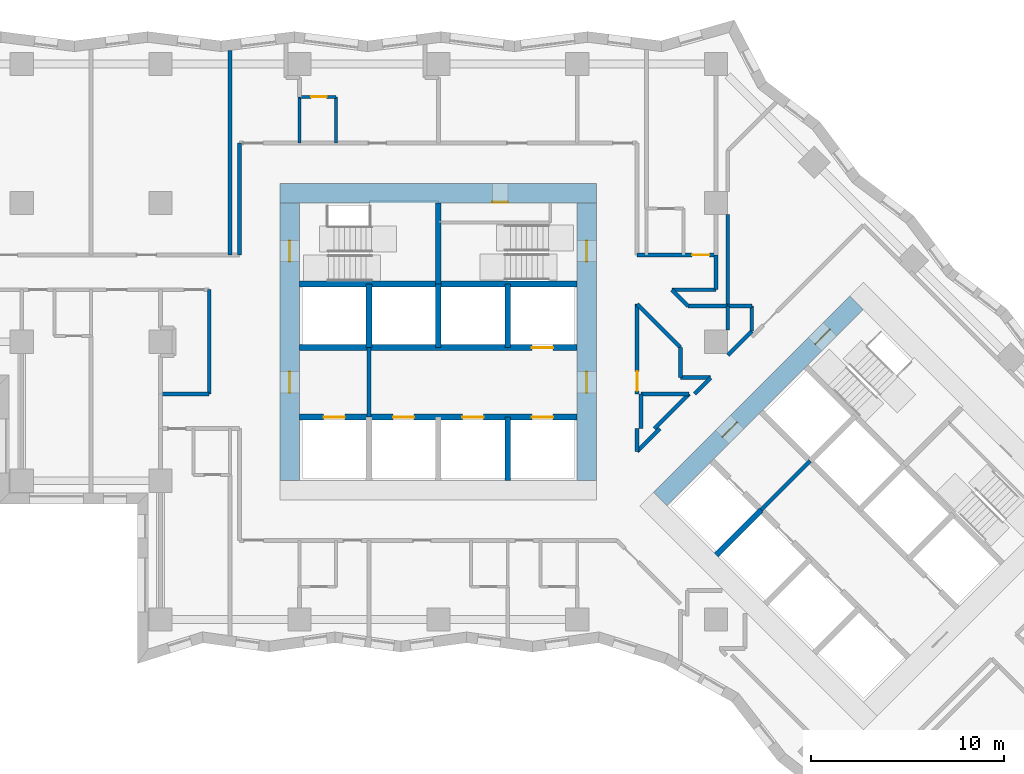
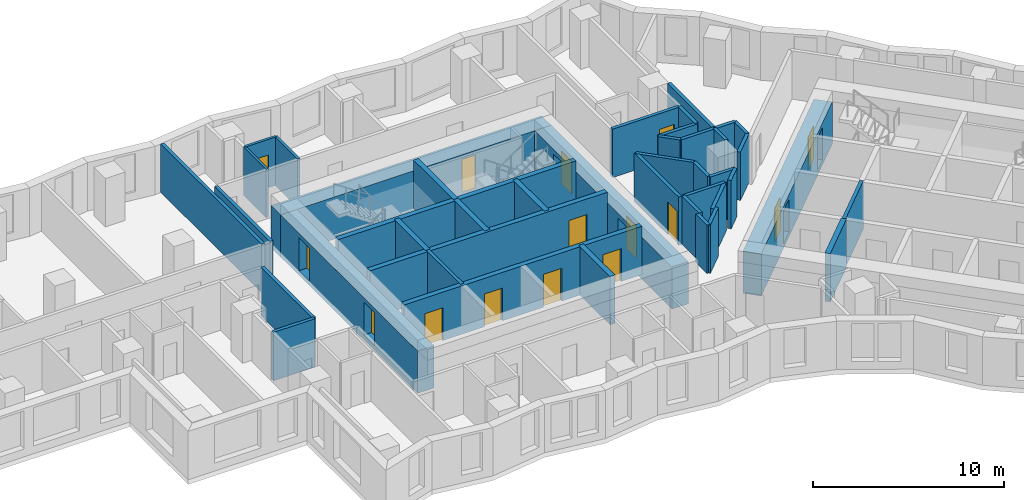
# One storey, part 5 of 12: 43 walls, 15 doors, 15 openings.
"""IFC4 building model written with IfcOpenShell, lengths in metres."""

import ifcopenshell
import ifcopenshell.guid

model = None  # the IFC model being written
_history = None  # IfcOwnerHistory: only IFC2X3 demands one
_inside = {}  # id of a spatial element -> (the spatial element, [elements in it])
_under = {}  # id of a project, library or spatial element -> (it, [spatial elements below it])
_declared = {}  # id of a project -> (the project, [libraries it declares])
_typed = {}  # id of a type object -> (the type object, [elements of that type])
_made_of = {}  # id of a material, layer set ... -> (it, [elements and type objects made of it])


def new_model(schema):
    """Start an empty IFC model of exactly this schema.

    Asked for "IFC4X3", IfcOpenShell would pick the latest addendum, in which some entities
    have other attributes; the version numbers below select the first issue.
    IFC2X3 requires an IfcOwnerHistory on every rooted entity: one is made here for all.
    """
    global model, _history
    if schema == "IFC4X3":
        model = ifcopenshell.file(schema_version=(4, 3, 0, 0))
    else:
        model = ifcopenshell.file(schema=schema)
    _inside.clear()
    _under.clear()
    _declared.clear()
    _typed.clear()
    _made_of.clear()
    _history = None
    if model.schema == "IFC2X3":
        org = make("IfcOrganization", Name="unknown")
        user = make(
            "IfcPersonAndOrganization",
            ThePerson=make("IfcPerson", FamilyName="unknown"),
            TheOrganization=org,
        )
        app = make(
            "IfcApplication",
            ApplicationDeveloper=org,
            Version="unknown",
            ApplicationFullName="unknown",
            ApplicationIdentifier="unknown",
        )
        _history = make(
            "IfcOwnerHistory",
            OwningUser=user,
            OwningApplication=app,
            ChangeAction="ADDED",
            CreationDate=0,
        )
    return model


def make(cls, **values):
    """One entity of the class cls with the attributes given. An attribute that is None is left unset."""
    return model.create_entity(
        cls, **{name: value for name, value in values.items() if value is not None}
    )


def rooted(cls, **values):
    """An entity with a GlobalId (a new one), such as an element, a storey or a relation."""
    return make(cls, GlobalId=ifcopenshell.guid.new(), OwnerHistory=_history, **values)


def si_unit(unit_type, name, prefix=None):
    """IfcSIUnit, for example si_unit("LENGTHUNIT", "METRE", prefix="MILLI")."""
    return make("IfcSIUnit", UnitType=unit_type, Prefix=prefix, Name=name)


def assignment(units):
    """IfcUnitAssignment: the units of a project."""
    return None if units is None else make("IfcUnitAssignment", Units=units)


def point(xyz):
    """IfcCartesianPoint."""
    return None if xyz is None else make("IfcCartesianPoint", Coordinates=xyz)


def direction(xyz):
    """IfcDirection."""
    return None if xyz is None else make("IfcDirection", DirectionRatios=xyz)


def frame(location, z_axis=None, x_axis=None):
    """IfcAxis2Placement3D, a coordinate frame: its origin and axes. An axis left out is left unset."""
    return make(
        "IfcAxis2Placement3D",
        Location=point(location),
        Axis=direction(z_axis),
        RefDirection=direction(x_axis),
    )


def frame_2d(location, x_axis=None):
    """IfcAxis2Placement2D, a coordinate frame in the plane: its origin and x axis."""
    return make(
        "IfcAxis2Placement2D", Location=point(location), RefDirection=direction(x_axis)
    )


def origin():
    """The frame at (0, 0, 0) with its axes left unset."""
    return frame((0.0, 0.0, 0.0))


def place(relative_to, where):
    """IfcLocalPlacement: puts the frame where relative to a parent placement (None: the world)."""
    return make(
        "IfcLocalPlacement", PlacementRelTo=relative_to, RelativePlacement=where
    )


def context(
    kind, dimensions, precision=None, world=None, true_north=None, identifier=None
):
    """IfcGeometricRepresentationContext, for example the 3D "Model" context."""
    return make(
        "IfcGeometricRepresentationContext",
        ContextIdentifier=identifier,
        ContextType=kind,
        CoordinateSpaceDimension=dimensions,
        Precision=precision,
        WorldCoordinateSystem=world,
        TrueNorth=true_north,
    )


def subcontext(parent, identifier, kind, view, scale=None):
    """IfcGeometricRepresentationSubContext, for example "Body" below "Model"."""
    return make(
        "IfcGeometricRepresentationSubContext",
        ContextIdentifier=identifier,
        ContextType=kind,
        ParentContext=parent,
        TargetScale=scale,
        TargetView=view,
    )


def project(units=None, contexts=None):
    """IfcProject with its units and contexts."""
    return rooted(
        "IfcProject",
        Name="project",
        RepresentationContexts=contexts,
        UnitsInContext=assignment(units),
    )


def spatial(cls, under=None, at=None, **own):
    """A site, building, storey or space (cls), placed at a placement, below another one or the project."""
    s = rooted(cls, ObjectPlacement=at, **own)
    if under is not None:
        _under.setdefault(under.id(), (under, []))[1].append(s)
    return s


def profile(cls, at=None, kind="AREA", **sizes):
    """A parametric profile (cls). Its sizes go by their IFC names, for example OverallWidth=200.0."""
    return make(cls, ProfileType=kind, Position=at, **sizes)


def rectangle(**sizes):
    """IfcRectangleProfileDef."""
    return profile("IfcRectangleProfileDef", **sizes)


def extrude(swept, where, along, depth):
    """IfcExtrudedAreaSolid: the profile swept, set in the frame where, extruded along a direction by depth."""
    return make(
        "IfcExtrudedAreaSolid",
        SweptArea=swept,
        Position=where,
        ExtrudedDirection=direction(along),
        Depth=depth,
    )


def shape(context_of_items, identifier, shape_type, items):
    """IfcShapeRepresentation: the items that make up one representation, for example the "Body"."""
    return make(
        "IfcShapeRepresentation",
        ContextOfItems=context_of_items,
        RepresentationIdentifier=identifier,
        RepresentationType=shape_type,
        Items=items,
    )


def material(Name=None, Category=None):
    """IfcMaterial."""
    return make("IfcMaterial", Name=Name, Category=Category)


def layer(
    of_material, thickness, ventilated=None, Name=None, Category=None, Priority=None
):
    """IfcMaterialLayer: one layer of a wall or slab, of a material (None: an air gap)."""
    return make(
        "IfcMaterialLayer",
        Material=of_material,
        LayerThickness=thickness,
        IsVentilated=ventilated,
        Name=Name,
        Category=Category,
        Priority=Priority,
    )


def layer_set(layers, Name=None):
    """IfcMaterialLayerSet."""
    return make("IfcMaterialLayerSet", MaterialLayers=layers, LayerSetName=Name)


def made_of(thing, what):
    """Note that an element or type object is made of a material, layer set ...; save() writes the relation."""
    if what is not None:
        _made_of.setdefault(what.id(), (what, []))[1].append(thing)
    return thing


def type_object(cls, material=None, **own):
    """A type object (cls), such as IfcWallType, which elements share."""
    return made_of(rooted(cls, **own), material)


def element(
    cls,
    number,
    at=None,
    inside=None,
    cuts=None,
    type_object=None,
    material=None,
    context=None,
    identifier="Body",
    shape_type=None,
    held_by="IfcProductDefinitionShape",
    body=None,
    shapes=None,
    **own,
):
    """One element of the class cls, such as IfcWall. Its Tag is "e" and its number.

    at: its placement. inside: the storey or other place that contains it. cuts: it is an
    opening in that element (IfcRelVoidsElement). A single representation is given by context,
    identifier, shape_type and body (its items); several are given by shapes. held_by: the class
    of the entity that holds the representations. save() writes the other relations.
    """
    e = rooted(cls, Tag="e%d" % number, ObjectPlacement=at, **own)
    if body is not None:
        shapes = [shape(context, identifier, shape_type, body)]
    if shapes is not None:
        e.Representation = make(held_by, Representations=shapes)
    if inside is not None:
        _inside.setdefault(inside.id(), (inside, []))[1].append(e)
    if cuts is not None:
        rooted(
            "IfcRelVoidsElement", RelatingBuildingElement=cuts, RelatedOpeningElement=e
        )
    if type_object is not None:
        _typed.setdefault(type_object.id(), (type_object, []))[1].append(e)
    return made_of(e, material)


def fill(opening, filler):
    """IfcRelFillsElement: the door or window that sits in an opening."""
    return rooted(
        "IfcRelFillsElement",
        RelatingOpeningElement=opening,
        RelatedBuildingElement=filler,
    )


def aggregate(whole, parts):
    """IfcRelAggregates: a whole, such as a stair, and the parts it consists of."""
    return rooted("IfcRelAggregates", RelatingObject=whole, RelatedObjects=parts)


def save(model, path):
    """Write the relations noted so far, then the file.

    IfcRelAggregates (storeys below a building ...), IfcRelContainedInSpatialStructure (elements
    in a storey), IfcRelDefinesByType, IfcRelAssociatesMaterial and IfcRelDeclares: one each for
    every whole, place, type object, material and project.
    """
    for whole, parts in _under.values():
        aggregate(whole, parts)
    for where, things in _inside.values():
        rooted(
            "IfcRelContainedInSpatialStructure",
            RelatedElements=things,
            RelatingStructure=where,
        )
    for kind, things in _typed.values():
        rooted("IfcRelDefinesByType", RelatedObjects=things, RelatingType=kind)
    for what, things in _made_of.values():
        rooted("IfcRelAssociatesMaterial", RelatedObjects=things, RelatingMaterial=what)
    for by, libraries in _declared.values():
        rooted("IfcRelDeclares", RelatingContext=by, RelatedDefinitions=libraries)
    model.write(path)


model = new_model("IFC4")

# Units and contexts
model_context = context("Model", 3, precision=1e-05, world=origin(), true_north=direction((0.0, 1.0)))
body_context = subcontext(model_context, "Body", "Model", "MODEL_VIEW")
ifc_project = project(units=[si_unit("LENGTHUNIT", "METRE"), si_unit("AREAUNIT", "SQUARE_METRE"), si_unit("VOLUMEUNIT", "CUBIC_METRE"), si_unit("PLANEANGLEUNIT", "RADIAN"), si_unit("MASSUNIT", "GRAM", prefix="KILO")], contexts=[model_context])

# Site, building, storey
site_placement = place(None, origin())
site = spatial("IfcSite", under=ifc_project, at=site_placement, CompositionType="ELEMENT")
building_placement = place(site_placement, origin())
building = spatial("IfcBuilding", under=site, at=building_placement, Name="Windrow Commons", CompositionType="ELEMENT")
storey_placement = place(building_placement, frame((0.0, 0.0, 47.4)))
storey = spatial("IfcBuildingStorey", under=building, at=storey_placement, Name="L12", CompositionType="ELEMENT", Elevation=47.4)

# Walls
ifc_material_1 = material(Name="Blockwork partition", Category="masonry")
ifc_layer_1 = layer(ifc_material_1, 0.2)
ifc_layer_set_1 = layer_set([ifc_layer_1], Name="Fire lobby partition 200")
wall_type_1 = type_object("IfcWallType", Name="Fire lobby partition 200", PredefinedType="PARTITIONING", material=ifc_layer_set_1)
for number, where, z_axis, x_axis, name in (
    (1, (61.2, 53.7, 0.0), (0.0, 0.0, 1.0), (0.0, 1.0, 0.0), "W-core-lobby-A-L12"),
    (2, (81.5335, 48.8776, 0.0), (0.0, 0.0, 1.0), (0.707092892, 0.7071206701, 0.0), "W-core-lobby-B-L12"),
):
    element("IfcWall", number, at=place(storey_placement, frame(where, z_axis=z_axis, x_axis=x_axis)), inside=storey, type_object=wall_type_1, Name=name, PredefinedType="PARTITIONING", context=body_context, shape_type="SweptSolid", body=[
        extrude(rectangle(XDim=3.6, YDim=0.2, at=frame_2d((1.8, 0.0))), origin(), (0.0, 0.0, 1.0), 3.1),
    ])
ifc_material_2 = material(Name="Blockwork partition", Category="masonry")
ifc_layer_2 = layer(ifc_material_2, 0.2)
ifc_layer_set_2 = layer_set([ifc_layer_2], Name="IW-CORRIDOR-200")
wall_type_2 = type_object("IfcWallType", Name="IW-CORRIDOR-200", PredefinedType="PARTITIONING", material=ifc_layer_set_2)
wall_1_placement = place(storey_placement, frame((54.5, 62.102, 0.0), z_axis=(0.0, 0.0, 1.0), x_axis=(0.0, 1.0, 0.0)))
element("IfcWall", 3, at=wall_1_placement, inside=storey, type_object=wall_type_2, Name="W-L12-W033", PredefinedType="PARTITIONING", context=body_context, shape_type="SweptSolid", body=[
    extrude(rectangle(XDim=5.798, YDim=0.2, at=frame_2d((2.899, 0.0))), origin(), (0.0, 0.0, 1.0), 3.1),
])
wall_2_placement = place(storey_placement, frame((52.92, 54.9, 0.0), z_axis=(0.0, 0.0, 1.0), x_axis=(0.0, 1.0, 0.0)))
element("IfcWall", 4, at=wall_2_placement, inside=storey, type_object=wall_type_2, Name="W-L12-W039", PredefinedType="PARTITIONING", context=body_context, shape_type="SweptSolid", body=[
    extrude(rectangle(XDim=5.4, YDim=0.2, at=frame_2d((2.7, 0.0))), origin(), (0.0, 0.0, 1.0), 3.1),
])

# Wall, opening, door
wall_3_placement = place(storey_placement, frame((75.1, 54.9, 0.0), z_axis=(0.0, 0.0, 1.0), x_axis=(0.0, 1.0, 0.0)))
wall_3 = element("IfcWall", 5, at=wall_3_placement, inside=storey, type_object=wall_type_2, Name="W-L12-W043", PredefinedType="PARTITIONING", context=body_context, shape_type="SweptSolid", body=[
    extrude(rectangle(XDim=4.652, YDim=0.2, at=frame_2d((2.326, 0.0))), origin(), (0.0, 0.0, 1.0), 3.1),
])
opening_1_placement = place(wall_3_placement, frame((0.1613, 0.0, 0.0)))
opening_1 = element("IfcOpeningElement", 6, at=opening_1_placement, cuts=wall_3, Name="Opening D410F", PredefinedType="OPENING", context=body_context, shape_type="SweptSolid", body=[
    extrude(rectangle(XDim=1.0, YDim=2.1, at=frame_2d((0.5, 1.05))), frame((0.0, 0.11, 0.0), z_axis=(0.0, -1.0, 0.0), x_axis=(1.0, 0.0, 0.0)), (0.0, 0.0, 1.0), 0.22),
])
ifc_material_3 = material(Name="Timber door leaf", Category="wood")
door_type_1 = type_object("IfcDoorType", Name="DT-SERVICE-1000", OperationType="SINGLE_SWING_LEFT", PredefinedType="DOOR", material=ifc_material_3)
door_1_placement = place(opening_1_placement, origin())
door_1 = element("IfcDoor", 7, at=door_1_placement, inside=storey, type_object=door_type_1, Name="D-L12-D000", OperationType="SINGLE_SWING_LEFT", OverallHeight=2.1, OverallWidth=1.0, PredefinedType="DOOR", context=body_context, shape_type="SweptSolid", body=[
    extrude(rectangle(XDim=1.0, YDim=2.1, at=frame_2d((0.5, 1.05))), frame((0.0, 0.025, 0.0), z_axis=(0.0, -1.0, 0.0), x_axis=(1.0, 0.0, 0.0)), (0.0, 0.0, 1.0), 0.05),
])
fill(opening_1, door_1)

wall_4_placement = place(storey_placement, frame((75.102, 62.1, 0.0), z_axis=(0.0, 0.0, 1.0), x_axis=(1.0, 0.0, 0.0)))
wall_4 = element("IfcWall", 8, at=wall_4_placement, inside=storey, type_object=wall_type_2, Name="W-L12-W049", PredefinedType="PARTITIONING", context=body_context, shape_type="SweptSolid", body=[
    extrude(rectangle(XDim=4.098, YDim=0.2, at=frame_2d((2.049, 0.0))), origin(), (0.0, 0.0, 1.0), 3.1),
])
opening_2_placement = place(wall_4_placement, frame((2.848, 0.0, 0.0)))
opening_2 = element("IfcOpeningElement", 9, at=opening_2_placement, cuts=wall_4, Name="Opening D109S", PredefinedType="OPENING", context=body_context, shape_type="SweptSolid", body=[
    extrude(rectangle(XDim=0.9, YDim=2.1, at=frame_2d((0.45, 1.05))), frame((0.0, 0.11, 0.0), z_axis=(0.0, -1.0, 0.0), x_axis=(1.0, 0.0, 0.0)), (0.0, 0.0, 1.0), 0.22),
])
ifc_material_4 = material(Name="Timber door leaf", Category="wood")
door_type_2 = type_object("IfcDoorType", Name="DT-BEDROOM-900", OperationType="SINGLE_SWING_LEFT", PredefinedType="DOOR", material=ifc_material_4)
door_2_placement = place(opening_2_placement, origin())
door_2 = element("IfcDoor", 10, at=door_2_placement, inside=storey, type_object=door_type_2, Name="D-L12-D012", OperationType="SINGLE_SWING_LEFT", OverallHeight=2.1, OverallWidth=0.9, PredefinedType="DOOR", context=body_context, shape_type="SweptSolid", body=[
    extrude(rectangle(XDim=0.9, YDim=2.1, at=frame_2d((0.45, 1.05))), frame((0.0, 0.025, 0.0), z_axis=(0.0, -1.0, 0.0), x_axis=(1.0, 0.0, 0.0)), (0.0, 0.0, 1.0), 0.05),
])
fill(opening_2, door_2)

# Walls
wall_5_placement = place(storey_placement, frame((75.0986, 59.5486, 0.0), z_axis=(0.0, 0.0, 1.0), x_axis=(0.7071067812, -0.7071067812, 0.0)))
element("IfcWall", 11, at=wall_5_placement, inside=storey, type_object=wall_type_2, Name="W-L12-W055", PredefinedType="PARTITIONING", context=body_context, shape_type="SweptSolid", body=[
    extrude(rectangle(XDim=3.1792, YDim=0.2, at=frame_2d((1.5896, 0.0))), origin(), (0.0, 0.0, 1.0), 3.1),
])
wall_6_placement = place(storey_placement, frame((75.9971, 53.1009, 0.0), z_axis=(0.0, 0.0, 1.0), x_axis=(0.7071067812, 0.7071067812, 0.0)))
element("IfcWall", 12, at=wall_6_placement, inside=storey, type_object=wall_type_2, Name="W-L12-W062", PredefinedType="PARTITIONING", context=body_context, shape_type="SweptSolid", body=[
    extrude(rectangle(XDim=2.5456, YDim=0.2, at=frame_2d((1.2728, 0.0))), origin(), (0.0, 0.0, 1.0), 3.1),
])
wall_7_placement = place(storey_placement, frame((50.4, 54.9, 0.0), z_axis=(0.0, 0.0, 1.0), x_axis=(1.0, 0.0, 0.0)))
element("IfcWall", 13, at=wall_7_placement, inside=storey, type_object=wall_type_2, Name="W-L12-W063", PredefinedType="PARTITIONING", context=body_context, shape_type="SweptSolid", body=[
    extrude(rectangle(XDim=2.51, YDim=0.2, at=frame_2d((1.255, 0.0))), origin(), (0.0, 0.0, 1.0), 3.1),
])
wall_8_placement = place(storey_placement, frame((76.902, 60.3, 0.0), z_axis=(0.0, 0.0, 1.0), x_axis=(1.0, 0.0, 0.0)))
element("IfcWall", 14, at=wall_8_placement, inside=storey, type_object=wall_type_2, Name="W-L12-W094", PredefinedType="PARTITIONING", context=body_context, shape_type="SweptSolid", body=[
    extrude(rectangle(XDim=2.298, YDim=0.2, at=frame_2d((1.149, 0.0))), origin(), (0.0, 0.0, 1.0), 3.1),
])
wall_9_placement = place(storey_placement, frame((77.75, 59.45, 0.0), z_axis=(0.0, 0.0, 1.0), x_axis=(1.0, 0.0, 0.0)))
element("IfcWall", 15, at=wall_9_placement, inside=storey, type_object=wall_type_2, Name="W-L12-W104", PredefinedType="PARTITIONING", context=body_context, shape_type="SweptSolid", body=[
    extrude(rectangle(XDim=2.05, YDim=0.2, at=frame_2d((1.025, 0.0))), origin(), (0.0, 0.0, 1.0), 3.1),
])
for number, where, z_axis, x_axis, name in (
    (16, (79.2, 60.3, 0.0), (0.0, 0.0, 1.0), (0.0, 1.0, 0.0), "W-L12-W127"),
    (17, (75.3, 53.1, 0.0), (0.0, 0.0, 1.0), (0.0, 1.0, 0.0), "W-L12-W129"),
):
    element("IfcWall", number, at=place(storey_placement, frame(where, z_axis=z_axis, x_axis=x_axis)), inside=storey, type_object=wall_type_2, Name=name, PredefinedType="PARTITIONING", context=body_context, shape_type="SweptSolid", body=[
        extrude(rectangle(XDim=1.8, YDim=0.2, at=frame_2d((0.9, 0.0))), origin(), (0.0, 0.0, 1.0), 3.1),
    ])
wall_10_placement = place(storey_placement, frame((79.8011, 56.9049, 0.0), z_axis=(0.0, 0.0, 1.0), x_axis=(0.7071067812, 0.7071067812, 0.0)))
element("IfcWall", 18, at=wall_10_placement, inside=storey, type_object=wall_type_2, Name="W-L12-W132", PredefinedType="PARTITIONING", context=body_context, shape_type="SweptSolid", body=[
    extrude(rectangle(XDim=1.7649, YDim=0.2, at=frame_2d((0.8824, 0.0))), origin(), (0.0, 0.0, 1.0), 3.1),
])
wall_11_placement = place(storey_placement, frame((75.1015, 51.9225, 0.0), z_axis=(0.0, 0.0, 1.0), x_axis=(0.7071067812, 0.7071067812, 0.0)))
element("IfcWall", 19, at=wall_11_placement, inside=storey, type_object=wall_type_2, Name="W-L12-W135", PredefinedType="PARTITIONING", context=body_context, shape_type="SweptSolid", body=[
    extrude(rectangle(XDim=1.6631, YDim=0.2, at=frame_2d((0.8316, 0.0))), origin(), (0.0, 0.0, 1.0), 3.1),
])
for number, where, z_axis, x_axis, name in (
    (20, (77.35, 55.752, 0.0), (0.0, 0.0, 1.0), (0.0, 1.0, 0.0), "W-L12-W136"),
    (21, (77.352, 55.75, 0.0), (0.0, 0.0, 1.0), (1.0, 0.0, 0.0), "W-L12-W137"),
):
    element("IfcWall", number, at=place(storey_placement, frame(where, z_axis=z_axis, x_axis=x_axis)), inside=storey, type_object=wall_type_2, Name=name, PredefinedType="PARTITIONING", context=body_context, shape_type="SweptSolid", body=[
        extrude(rectangle(XDim=1.552, YDim=0.2, at=frame_2d((0.776, 0.0))), origin(), (0.0, 0.0, 1.0), 3.1),
    ])
wall_12_placement = place(storey_placement, frame((79.8, 58.2, 0.0), z_axis=(0.0, 0.0, 1.0), x_axis=(0.0, 1.0, 0.0)))
element("IfcWall", 22, at=wall_12_placement, inside=storey, type_object=wall_type_2, Name="W-L12-W143", PredefinedType="PARTITIONING", context=body_context, shape_type="SweptSolid", body=[
    extrude(rectangle(XDim=1.25, YDim=0.2, at=frame_2d((0.625, 0.0))), origin(), (0.0, 0.0, 1.0), 3.1),
])
wall_13_placement = place(storey_placement, frame((76.8974, 60.2954, 0.0), z_axis=(0.0, 0.0, 1.0), x_axis=(0.7071067812, -0.7071067812, 0.0)))
element("IfcWall", 23, at=wall_13_placement, inside=storey, type_object=wall_type_2, Name="W-L12-W145", PredefinedType="PARTITIONING", context=body_context, shape_type="SweptSolid", body=[
    extrude(rectangle(XDim=1.1993, YDim=0.2, at=frame_2d((0.5997, 0.0))), origin(), (0.0, 0.0, 1.0), 3.1),
])
wall_14_placement = place(storey_placement, frame((78.0795, 54.9005, 0.0), z_axis=(0.0, 0.0, 1.0), x_axis=(0.7071067812, 0.7071067812, 0.0)))
element("IfcWall", 24, at=wall_14_placement, inside=storey, type_object=wall_type_2, Name="W-L12-W146", PredefinedType="PARTITIONING", context=body_context, shape_type="SweptSolid", body=[
    extrude(rectangle(XDim=1.1823, YDim=0.2, at=frame_2d((0.5911, 0.0))), origin(), (0.0, 0.0, 1.0), 3.1),
])
wall_15_placement = place(storey_placement, frame((75.1, 51.922, 0.0), z_axis=(0.0, 0.0, 1.0), x_axis=(0.0, 1.0, 0.0)))
element("IfcWall", 25, at=wall_15_placement, inside=storey, type_object=wall_type_2, Name="W-L12-W147", PredefinedType="PARTITIONING", context=body_context, shape_type="SweptSolid", body=[
    extrude(rectangle(XDim=1.178, YDim=0.2, at=frame_2d((0.589, 0.0))), origin(), (0.0, 0.0, 1.0), 3.1),
])
ifc_material_5 = material(Name="Blockwork partition", Category="masonry")
ifc_layer_3 = layer(ifc_material_5, 0.15)
ifc_layer_set_3 = layer_set([ifc_layer_3], Name="IW-ENSUITE-150")
wall_type_3 = type_object("IfcWallType", Name="IW-ENSUITE-150", PredefinedType="PARTITIONING", material=ifc_layer_set_3)
for number, where, z_axis, x_axis, name in (
    (26, (59.5, 67.9, 0.0), (0.0, 0.0, 1.0), (0.0, 1.0, 0.0), "W-L12-W082"),
    (27, (57.6, 67.9, 0.0), (0.0, 0.0, 1.0), (0.0, 1.0, 0.0), "W-L12-W083"),
):
    element("IfcWall", number, at=place(storey_placement, frame(where, z_axis=z_axis, x_axis=x_axis)), inside=storey, type_object=wall_type_3, Name=name, PredefinedType="PARTITIONING", context=body_context, shape_type="SweptSolid", body=[
        extrude(rectangle(XDim=2.4, YDim=0.15, at=frame_2d((1.2, 0.0))), origin(), (0.0, 0.0, 1.0), 3.1),
    ])

# Wall, opening, door
wall_16_placement = place(storey_placement, frame((57.6, 70.3, 0.0), z_axis=(0.0, 0.0, 1.0), x_axis=(1.0, 0.0, 0.0)))
wall_16 = element("IfcWall", 28, at=wall_16_placement, inside=storey, type_object=wall_type_3, Name="W-L12-W115", PredefinedType="PARTITIONING", context=body_context, shape_type="SweptSolid", body=[
    extrude(rectangle(XDim=1.9, YDim=0.15, at=frame_2d((0.95, 0.0))), origin(), (0.0, 0.0, 1.0), 3.1),
])
opening_3_placement = place(wall_16_placement, frame((0.6069, 0.0, 0.0)))
opening_3 = element("IfcOpeningElement", 29, at=opening_3_placement, cuts=wall_16, Name="Opening D208N", PredefinedType="OPENING", context=body_context, shape_type="SweptSolid", body=[
    extrude(rectangle(XDim=0.8, YDim=2.1, at=frame_2d((0.4, 1.05))), frame((0.0, 0.085, 0.0), z_axis=(0.0, -1.0, 0.0), x_axis=(1.0, 0.0, 0.0)), (0.0, 0.0, 1.0), 0.17),
])
ifc_material_6 = material(Name="Timber door leaf", Category="wood")
door_type_3 = type_object("IfcDoorType", Name="DT-ENSUITE-800", OperationType="SINGLE_SWING_LEFT", PredefinedType="DOOR", material=ifc_material_6)
door_3_placement = place(opening_3_placement, origin())
door_3 = element("IfcDoor", 30, at=door_3_placement, inside=storey, type_object=door_type_3, Name="D-L12-D023", OperationType="SINGLE_SWING_RIGHT", OverallHeight=2.1, OverallWidth=0.8, PredefinedType="DOOR", context=body_context, shape_type="SweptSolid", body=[
    extrude(rectangle(XDim=0.8, YDim=2.1, at=frame_2d((0.4, 1.05))), frame((0.0, 0.025, 0.0), z_axis=(0.0, -1.0, 0.0), x_axis=(1.0, 0.0, 0.0)), (0.0, 0.0, 1.0), 0.05),
])
fill(opening_3, door_3)

# Walls
ifc_material_7 = material(Name="Blockwork partition", Category="masonry")
ifc_layer_4 = layer(ifc_material_7, 0.2)
ifc_layer_set_4 = layer_set([ifc_layer_4], Name="IW-PARTY-200")
wall_type_4 = type_object("IfcWallType", Name="IW-PARTY-200", PredefinedType="PARTITIONING", material=ifc_layer_set_4)
wall_17_placement = place(storey_placement, frame((54.0, 62.1, 0.0), z_axis=(0.0, 0.0, 1.0), x_axis=(0.0, 1.0, 0.0)))
element("IfcWall", 31, at=wall_17_placement, inside=storey, type_object=wall_type_4, Name="W-L12-W011", PredefinedType="PARTITIONING", context=body_context, shape_type="SweptSolid", body=[
    extrude(rectangle(XDim=10.6048, YDim=0.2, at=frame_2d((5.3024, 0.0))), origin(), (0.0, 0.0, 1.0), 3.1),
])
wall_18_placement = place(storey_placement, frame((79.8, 59.45, 0.0), z_axis=(0.0, 0.0, 1.0), x_axis=(0.0, 1.0, 0.0)))
element("IfcWall", 32, at=wall_18_placement, inside=storey, type_object=wall_type_4, Name="W-L12-W041", PredefinedType="PARTITIONING", context=body_context, shape_type="SweptSolid", body=[
    extrude(rectangle(XDim=4.75, YDim=0.2, at=frame_2d((2.375, 0.0))), origin(), (0.0, 0.0, 1.0), 3.1),
])
wall_19_placement = place(storey_placement, frame((75.3, 54.9, 0.0), z_axis=(0.0, 0.0, 1.0), x_axis=(1.0, 0.0, 0.0)))
element("IfcWall", 33, at=wall_19_placement, inside=storey, type_object=wall_type_4, Name="W-L12-W064", PredefinedType="PARTITIONING", context=body_context, shape_type="SweptSolid", body=[
    extrude(rectangle(XDim=2.498, YDim=0.2, at=frame_2d((1.249, 0.0))), origin(), (0.0, 0.0, 1.0), 3.1),
])
wall_20_placement = place(storey_placement, frame((81.05, 58.152, 0.0), z_axis=(0.0, 0.0, 1.0), x_axis=(0.0, 1.0, 0.0)))
element("IfcWall", 34, at=wall_20_placement, inside=storey, type_object=wall_type_4, Name="W-L12-W142", PredefinedType="PARTITIONING", context=body_context, shape_type="SweptSolid", body=[
    extrude(rectangle(XDim=1.296, YDim=0.2, at=frame_2d((0.648, 0.0))), origin(), (0.0, 0.0, 1.0), 3.1),
])
wall_21_placement = place(storey_placement, frame((79.8, 59.45, 0.0), z_axis=(0.0, 0.0, 1.0), x_axis=(1.0, 0.0, 0.0)))
element("IfcWall", 35, at=wall_21_placement, inside=storey, type_object=wall_type_4, Name="W-L12-W144", PredefinedType="PARTITIONING", context=body_context, shape_type="SweptSolid", body=[
    extrude(rectangle(XDim=1.248, YDim=0.2, at=frame_2d((0.624, 0.0))), origin(), (0.0, 0.0, 1.0), 3.1),
])

# Wall, opening, door
ifc_material_8 = material(Name="Concrete C60/75", Category="concrete")
ifc_layer_5 = layer(ifc_material_8, 1.0)
ifc_layer_set_5 = layer_set([ifc_layer_5], Name="RC CORE WALL 1000 C60/75")
wall_type_5 = type_object("IfcWallType", Name="RC CORE WALL 1000 C60/75", PredefinedType="SHEAR", material=ifc_layer_set_5)
wall_22_placement = place(storey_placement, frame((56.6, 65.3, -0.3), z_axis=(0.0, 0.0, 1.0), x_axis=(1.0, 0.0, 0.0)))
wall_22 = element("IfcWall", 36, at=wall_22_placement, inside=storey, type_object=wall_type_5, Name="Core A wall outer-N", PredefinedType="SHEAR", context=body_context, shape_type="SweptSolid", body=[
    extrude(rectangle(XDim=16.4, YDim=1.0, at=frame_2d((8.2, 0.0))), origin(), (0.0, 0.0, 1.0), 2.7),
])
opening_4_placement = place(wall_22_placement, frame((11.0, 0.0, 0.3)))
opening_4 = element("IfcOpeningElement", 37, at=opening_4_placement, cuts=wall_22, Name="Opening D9", PredefinedType="OPENING", context=body_context, shape_type="SweptSolid", body=[
    extrude(rectangle(XDim=0.8, YDim=2.1, at=frame_2d((0.4, 1.05))), frame((0.0, 0.51, 0.0), z_axis=(0.0, -1.0, 0.0), x_axis=(1.0, 0.0, 0.0)), (0.0, 0.0, 1.0), 1.02),
])
ifc_material_9 = material(Name="Steel fire door leaf", Category="steel")
door_type_4 = type_object("IfcDoorType", Name="Riser access door 800", OperationType="SINGLE_SWING_LEFT", PredefinedType="DOOR", material=ifc_material_9)
door_4_placement = place(opening_4_placement, origin())
door_4 = element("IfcDoor", 38, at=door_4_placement, inside=storey, type_object=door_type_4, Name="Riser access door", OperationType="SINGLE_SWING_RIGHT", OverallHeight=2.1, OverallWidth=0.8, PredefinedType="DOOR", context=body_context, shape_type="SweptSolid", body=[
    extrude(rectangle(XDim=0.8, YDim=2.1, at=frame_2d((0.4, 1.05))), frame((0.0, -0.44, 0.0), z_axis=(0.0, -1.0, 0.0), x_axis=(1.0, 0.0, 0.0)), (0.0, 0.0, 1.0), 0.05),
])
fill(opening_4, door_4)

# Wall, openings, doors
wall_23_placement = place(storey_placement, frame((57.1, 50.4, -0.3), z_axis=(0.0, 0.0, 1.0), x_axis=(0.0, 1.0, 0.0)))
wall_23 = element("IfcWall", 39, at=wall_23_placement, inside=storey, type_object=wall_type_5, Name="Core A wall outer-W", PredefinedType="SHEAR", context=body_context, shape_type="SweptSolid", body=[
    extrude(rectangle(XDim=14.4, YDim=1.0, at=frame_2d((7.2, 0.0))), origin(), (0.0, 0.0, 1.0), 2.7),
])
opening_5_placement = place(wall_23_placement, frame((4.55, 0.0, 0.3)))
opening_5 = element("IfcOpeningElement", 40, at=opening_5_placement, cuts=wall_23, Name="Opening D6", PredefinedType="OPENING", context=body_context, shape_type="SweptSolid", body=[
    extrude(rectangle(XDim=1.1, YDim=2.1, at=frame_2d((0.55, 1.05))), frame((0.0, 0.51, 0.0), z_axis=(0.0, -1.0, 0.0), x_axis=(1.0, 0.0, 0.0)), (0.0, 0.0, 1.0), 1.02),
])
opening_6_placement = place(wall_23_placement, frame((11.35, 0.0, 0.3)))
opening_6 = element("IfcOpeningElement", 41, at=opening_6_placement, cuts=wall_23, Name="Opening D7", PredefinedType="OPENING", context=body_context, shape_type="SweptSolid", body=[
    extrude(rectangle(XDim=1.1, YDim=2.1, at=frame_2d((0.55, 1.05))), frame((0.0, 0.51, 0.0), z_axis=(0.0, -1.0, 0.0), x_axis=(1.0, 0.0, 0.0)), (0.0, 0.0, 1.0), 1.02),
])
ifc_material_10 = material(Name="Steel fire door leaf", Category="steel")
door_type_5 = type_object("IfcDoorType", Name="Core lobby door 1100", OperationType="SINGLE_SWING_LEFT", PredefinedType="DOOR", material=ifc_material_10)
door_5_placement = place(opening_5_placement, origin())
door_5 = element("IfcDoor", 42, at=door_5_placement, inside=storey, type_object=door_type_5, Name="Lift lobby door", OperationType="DOUBLE_DOOR_SINGLE_SWING", OverallHeight=2.1, OverallWidth=1.1, PredefinedType="DOOR", context=body_context, shape_type="SweptSolid", body=[
    extrude(rectangle(XDim=1.1, YDim=2.1, at=frame_2d((0.55, 1.05))), frame((0.0, 0.025, 0.0), z_axis=(0.0, -1.0, 0.0), x_axis=(1.0, 0.0, 0.0)), (0.0, 0.0, 1.0), 0.05),
])
fill(opening_5, door_5)
ifc_material_11 = material(Name="Steel fire door leaf", Category="steel")
door_type_6 = type_object("IfcDoorType", Name="Stair door 1100", OperationType="SINGLE_SWING_LEFT", PredefinedType="DOOR", material=ifc_material_11)
door_6_placement = place(opening_6_placement, origin())
door_6 = element("IfcDoor", 43, at=door_6_placement, inside=storey, type_object=door_type_6, Name="Stair door", OperationType="SINGLE_SWING_LEFT", OverallHeight=2.1, OverallWidth=1.1, PredefinedType="DOOR", context=body_context, shape_type="SweptSolid", body=[
    extrude(rectangle(XDim=1.1, YDim=2.1, at=frame_2d((0.55, 1.05))), frame((0.0, 0.025, 0.0), z_axis=(0.0, -1.0, 0.0), x_axis=(1.0, 0.0, 0.0)), (0.0, 0.0, 1.0), 0.05),
])
fill(opening_6, door_6)

wall_24_placement = place(storey_placement, frame((72.5, 50.4, -0.3), z_axis=(0.0, 0.0, 1.0), x_axis=(0.0, 1.0, 0.0)))
wall_24 = element("IfcWall", 44, at=wall_24_placement, inside=storey, type_object=wall_type_5, Name="Core A wall outer-E", PredefinedType="SHEAR", context=body_context, shape_type="SweptSolid", body=[
    extrude(rectangle(XDim=14.4, YDim=1.0, at=frame_2d((7.2, 0.0))), origin(), (0.0, 0.0, 1.0), 2.7),
])
opening_7_placement = place(wall_24_placement, frame((4.55, 0.0, 0.3)))
opening_7 = element("IfcOpeningElement", 45, at=opening_7_placement, cuts=wall_24, Name="Opening D6", PredefinedType="OPENING", context=body_context, shape_type="SweptSolid", body=[
    extrude(rectangle(XDim=1.1, YDim=2.1, at=frame_2d((0.55, 1.05))), frame((0.0, 0.51, 0.0), z_axis=(0.0, -1.0, 0.0), x_axis=(1.0, 0.0, 0.0)), (0.0, 0.0, 1.0), 1.02),
])
opening_8_placement = place(wall_24_placement, frame((11.35, 0.0, 0.3)))
opening_8 = element("IfcOpeningElement", 46, at=opening_8_placement, cuts=wall_24, Name="Opening D7", PredefinedType="OPENING", context=body_context, shape_type="SweptSolid", body=[
    extrude(rectangle(XDim=1.1, YDim=2.1, at=frame_2d((0.55, 1.05))), frame((0.0, 0.51, 0.0), z_axis=(0.0, -1.0, 0.0), x_axis=(1.0, 0.0, 0.0)), (0.0, 0.0, 1.0), 1.02),
])
door_7_placement = place(opening_7_placement, origin())
door_7 = element("IfcDoor", 47, at=door_7_placement, inside=storey, type_object=door_type_5, Name="Lift lobby door", OperationType="DOUBLE_DOOR_SINGLE_SWING", OverallHeight=2.1, OverallWidth=1.1, PredefinedType="DOOR", context=body_context, shape_type="SweptSolid", body=[
    extrude(rectangle(XDim=1.1, YDim=2.1, at=frame_2d((0.55, 1.05))), frame((0.0, 0.025, 0.0), z_axis=(0.0, -1.0, 0.0), x_axis=(1.0, 0.0, 0.0)), (0.0, 0.0, 1.0), 0.05),
])
fill(opening_7, door_7)
door_8_placement = place(opening_8_placement, origin())
door_8 = element("IfcDoor", 48, at=door_8_placement, inside=storey, type_object=door_type_6, Name="Stair door", OperationType="SINGLE_SWING_RIGHT", OverallHeight=2.1, OverallWidth=1.1, PredefinedType="DOOR", context=body_context, shape_type="SweptSolid", body=[
    extrude(rectangle(XDim=1.1, YDim=2.1, at=frame_2d((0.55, 1.05))), frame((0.0, 0.025, 0.0), z_axis=(0.0, -1.0, 0.0), x_axis=(1.0, 0.0, 0.0)), (0.0, 0.0, 1.0), 0.05),
])
fill(opening_8, door_8)

wall_25_placement = place(storey_placement, frame((76.3009, 49.4433, -0.3), z_axis=(0.0, 0.0, 1.0), x_axis=(0.7071067812, 0.7071067812, 0.0)))
wall_25 = element("IfcWall", 49, at=wall_25_placement, inside=storey, type_object=wall_type_5, Name="Core B wall outer-W", PredefinedType="SHEAR", context=body_context, shape_type="SweptSolid", body=[
    extrude(rectangle(XDim=14.3999, YDim=1.0, at=frame_2d((7.2, 0.0))), origin(), (0.0, 0.0, 1.0), 2.7),
])
opening_9_placement = place(wall_25_placement, frame((4.55, 0.0, 0.3)))
opening_9 = element("IfcOpeningElement", 50, at=opening_9_placement, cuts=wall_25, Name="Opening D6", PredefinedType="OPENING", context=body_context, shape_type="SweptSolid", body=[
    extrude(rectangle(XDim=1.1, YDim=2.1, at=frame_2d((0.55, 1.05))), frame((0.0, 0.51, 0.0), z_axis=(0.0, -1.0, 0.0), x_axis=(1.0, 0.0, 0.0)), (0.0, 0.0, 1.0), 1.02),
])
opening_10_placement = place(wall_25_placement, frame((11.35, 0.0, 0.3)))
opening_10 = element("IfcOpeningElement", 51, at=opening_10_placement, cuts=wall_25, Name="Opening D7", PredefinedType="OPENING", context=body_context, shape_type="SweptSolid", body=[
    extrude(rectangle(XDim=1.1, YDim=2.1, at=frame_2d((0.55, 1.05))), frame((0.0, 0.51, 0.0), z_axis=(0.0, -1.0, 0.0), x_axis=(1.0, 0.0, 0.0)), (0.0, 0.0, 1.0), 1.02),
])
door_9_placement = place(opening_9_placement, origin())
door_9 = element("IfcDoor", 52, at=door_9_placement, inside=storey, type_object=door_type_5, Name="Lift lobby door", OperationType="DOUBLE_DOOR_SINGLE_SWING", OverallHeight=2.1, OverallWidth=1.1, PredefinedType="DOOR", context=body_context, shape_type="SweptSolid", body=[
    extrude(rectangle(XDim=1.1, YDim=2.1, at=frame_2d((0.55, 1.05))), frame((0.0, 0.025, 0.0), z_axis=(0.0, -1.0, 0.0), x_axis=(1.0, 0.0, 0.0)), (0.0, 0.0, 1.0), 0.05),
])
fill(opening_9, door_9)
door_10_placement = place(opening_10_placement, origin())
door_10 = element("IfcDoor", 53, at=door_10_placement, inside=storey, type_object=door_type_6, Name="Stair door", OperationType="SINGLE_SWING_LEFT", OverallHeight=2.1, OverallWidth=1.1, PredefinedType="DOOR", context=body_context, shape_type="SweptSolid", body=[
    extrude(rectangle(XDim=1.1, YDim=2.1, at=frame_2d((0.55, 1.05))), frame((0.0, 0.025, 0.0), z_axis=(0.0, -1.0, 0.0), x_axis=(1.0, 0.0, 0.0)), (0.0, 0.0, 1.0), 0.05),
])
fill(opening_10, door_10)

# Walls
ifc_material_12 = material(Name="Concrete C60/75", Category="concrete")
ifc_layer_6 = layer(ifc_material_12, 0.3)
ifc_layer_set_6 = layer_set([ifc_layer_6], Name="RC SHAFT WALL 300 C60/75")
wall_type_6 = type_object("IfcWallType", Name="RC SHAFT WALL 300 C60/75", PredefinedType="SOLIDWALL", material=ifc_layer_set_6)
for number, where, z_axis, x_axis, name in (
    (54, (61.2, 57.3, 0.0), (0.0, 0.0, 1.0), (0.0, 1.0, 0.0), "Core A wall shaft-N1"),
    (55, (64.8, 57.3, 0.0), (0.0, 0.0, 1.0), (0.0, 1.0, 0.0), "Core A wall shaft-N2"),
    (56, (68.4, 50.4, 0.0), (0.0, 0.0, 1.0), (0.0, 1.0, 0.0), "Core A wall shaft-S3"),
    (57, (68.4, 57.3, 0.0), (0.0, 0.0, 1.0), (0.0, 1.0, 0.0), "Core A wall shaft-N3"),
):
    element("IfcWall", number, at=place(storey_placement, frame(where, z_axis=z_axis, x_axis=x_axis)), inside=storey, type_object=wall_type_6, Name=name, PredefinedType="SOLIDWALL", context=body_context, shape_type="SweptSolid", body=[
        extrude(rectangle(XDim=3.3, YDim=0.3, at=frame_2d((1.65, 0.0))), origin(), (0.0, 0.0, 1.0), 3.1),
    ])

# Wall, openings, doors
wall_26_placement = place(storey_placement, frame((57.6, 53.7, 0.0), z_axis=(0.0, 0.0, 1.0), x_axis=(1.0, 0.0, 0.0)))
wall_26 = element("IfcWall", 58, at=wall_26_placement, inside=storey, type_object=wall_type_6, Name="Core A wall lobby-S", PredefinedType="SOLIDWALL", context=body_context, shape_type="SweptSolid", body=[
    extrude(rectangle(XDim=14.4, YDim=0.3, at=frame_2d((7.2, 0.0))), origin(), (0.0, 0.0, 1.0), 3.1),
])
opening_11_placement = place(wall_26_placement, frame((1.25, 0.0, 0.0)))
opening_11 = element("IfcOpeningElement", 59, at=opening_11_placement, cuts=wall_26, Name="Opening LD", PredefinedType="OPENING", context=body_context, shape_type="SweptSolid", body=[
    extrude(rectangle(XDim=1.1, YDim=2.1, at=frame_2d((0.55, 1.05))), frame((0.0, 0.16, 0.0), z_axis=(0.0, -1.0, 0.0), x_axis=(1.0, 0.0, 0.0)), (0.0, 0.0, 1.0), 0.32),
])
opening_12_placement = place(wall_26_placement, frame((4.85, 0.0, 0.0)))
opening_12 = element("IfcOpeningElement", 60, at=opening_12_placement, cuts=wall_26, Name="Opening LD", PredefinedType="OPENING", context=body_context, shape_type="SweptSolid", body=[
    extrude(rectangle(XDim=1.1, YDim=2.1, at=frame_2d((0.55, 1.05))), frame((0.0, 0.16, 0.0), z_axis=(0.0, -1.0, 0.0), x_axis=(1.0, 0.0, 0.0)), (0.0, 0.0, 1.0), 0.32),
])
opening_13_placement = place(wall_26_placement, frame((8.45, 0.0, 0.0)))
opening_13 = element("IfcOpeningElement", 61, at=opening_13_placement, cuts=wall_26, Name="Opening LD", PredefinedType="OPENING", context=body_context, shape_type="SweptSolid", body=[
    extrude(rectangle(XDim=1.1, YDim=2.1, at=frame_2d((0.55, 1.05))), frame((0.0, 0.16, 0.0), z_axis=(0.0, -1.0, 0.0), x_axis=(1.0, 0.0, 0.0)), (0.0, 0.0, 1.0), 0.32),
])
opening_14_placement = place(wall_26_placement, frame((12.05, 0.0, 0.0)))
opening_14 = element("IfcOpeningElement", 62, at=opening_14_placement, cuts=wall_26, Name="Opening LD", PredefinedType="OPENING", context=body_context, shape_type="SweptSolid", body=[
    extrude(rectangle(XDim=1.1, YDim=2.1, at=frame_2d((0.55, 1.05))), frame((0.0, 0.16, 0.0), z_axis=(0.0, -1.0, 0.0), x_axis=(1.0, 0.0, 0.0)), (0.0, 0.0, 1.0), 0.32),
])
ifc_material_13 = material(Name="Stainless steel door leaf", Category="steel")
door_type_7 = type_object("IfcDoorType", Name="Lift landing door 1100", OperationType="SLIDING_TO_LEFT", PredefinedType="DOOR", material=ifc_material_13)
door_11_placement = place(opening_11_placement, origin())
door_11 = element("IfcDoor", 63, at=door_11_placement, inside=storey, type_object=door_type_7, Name="Lift landing door", OperationType="SLIDING_TO_LEFT", OverallHeight=2.1, OverallWidth=1.1, PredefinedType="DOOR", context=body_context, shape_type="SweptSolid", body=[
    extrude(rectangle(XDim=1.1, YDim=2.1, at=frame_2d((0.55, 1.05))), frame((0.0, 0.025, 0.0), z_axis=(0.0, -1.0, 0.0), x_axis=(1.0, 0.0, 0.0)), (0.0, 0.0, 1.0), 0.05),
])
fill(opening_11, door_11)
door_12_placement = place(opening_12_placement, origin())
door_12 = element("IfcDoor", 64, at=door_12_placement, inside=storey, type_object=door_type_7, Name="Lift landing door", OperationType="SLIDING_TO_RIGHT", OverallHeight=2.1, OverallWidth=1.1, PredefinedType="DOOR", context=body_context, shape_type="SweptSolid", body=[
    extrude(rectangle(XDim=1.1, YDim=2.1, at=frame_2d((0.55, 1.05))), frame((0.0, 0.025, 0.0), z_axis=(0.0, -1.0, 0.0), x_axis=(1.0, 0.0, 0.0)), (0.0, 0.0, 1.0), 0.05),
])
fill(opening_12, door_12)
door_13_placement = place(opening_13_placement, origin())
door_13 = element("IfcDoor", 65, at=door_13_placement, inside=storey, type_object=door_type_7, Name="Lift landing door", OperationType="SLIDING_TO_LEFT", OverallHeight=2.1, OverallWidth=1.1, PredefinedType="DOOR", context=body_context, shape_type="SweptSolid", body=[
    extrude(rectangle(XDim=1.1, YDim=2.1, at=frame_2d((0.55, 1.05))), frame((0.0, 0.025, 0.0), z_axis=(0.0, -1.0, 0.0), x_axis=(1.0, 0.0, 0.0)), (0.0, 0.0, 1.0), 0.05),
])
fill(opening_13, door_13)
door_14_placement = place(opening_14_placement, origin())
door_14 = element("IfcDoor", 66, at=door_14_placement, inside=storey, type_object=door_type_7, Name="Lift landing door", OperationType="SLIDING_TO_RIGHT", OverallHeight=2.1, OverallWidth=1.1, PredefinedType="DOOR", context=body_context, shape_type="SweptSolid", body=[
    extrude(rectangle(XDim=1.1, YDim=2.1, at=frame_2d((0.55, 1.05))), frame((0.0, 0.025, 0.0), z_axis=(0.0, -1.0, 0.0), x_axis=(1.0, 0.0, 0.0)), (0.0, 0.0, 1.0), 0.05),
])
fill(opening_14, door_14)

# Wall, opening, door
wall_27_placement = place(storey_placement, frame((57.6, 57.3, 0.0), z_axis=(0.0, 0.0, 1.0), x_axis=(1.0, 0.0, 0.0)))
wall_27 = element("IfcWall", 67, at=wall_27_placement, inside=storey, type_object=wall_type_6, Name="Core A wall lobby-N", PredefinedType="SOLIDWALL", context=body_context, shape_type="SweptSolid", body=[
    extrude(rectangle(XDim=14.4, YDim=0.3, at=frame_2d((7.2, 0.0))), origin(), (0.0, 0.0, 1.0), 3.1),
])
opening_15_placement = place(wall_27_placement, frame((12.05, 0.0, 0.0)))
opening_15 = element("IfcOpeningElement", 68, at=opening_15_placement, cuts=wall_27, Name="Opening LD", PredefinedType="OPENING", context=body_context, shape_type="SweptSolid", body=[
    extrude(rectangle(XDim=1.1, YDim=2.1, at=frame_2d((0.55, 1.05))), frame((0.0, 0.16, 0.0), z_axis=(0.0, -1.0, 0.0), x_axis=(1.0, 0.0, 0.0)), (0.0, 0.0, 1.0), 0.32),
])
door_15_placement = place(opening_15_placement, origin())
door_15 = element("IfcDoor", 69, at=door_15_placement, inside=storey, type_object=door_type_7, Name="Lift landing door", OperationType="SLIDING_TO_RIGHT", OverallHeight=2.1, OverallWidth=1.1, PredefinedType="DOOR", context=body_context, shape_type="SweptSolid", body=[
    extrude(rectangle(XDim=1.1, YDim=2.1, at=frame_2d((0.55, 1.05))), frame((0.0, 0.025, 0.0), z_axis=(0.0, -1.0, 0.0), x_axis=(1.0, 0.0, 0.0)), (0.0, 0.0, 1.0), 0.05),
])
fill(opening_15, door_15)

# Walls
for number, where, z_axis, x_axis, name in (
    (70, (57.6, 60.6, 0.0), (0.0, 0.0, 1.0), (1.0, 0.0, 0.0), "Core A wall stair-S"),
    (71, (64.8, 60.6, 0.0), (0.0, 0.0, 1.0), (1.0, 0.0, 0.0), "Core A wall stair-S2"),
):
    element("IfcWall", number, at=place(storey_placement, frame(where, z_axis=z_axis, x_axis=x_axis)), inside=storey, type_object=wall_type_6, Name=name, PredefinedType="SOLIDWALL", context=body_context, shape_type="SweptSolid", body=[
        extrude(rectangle(XDim=7.2, YDim=0.3, at=frame_2d((3.6, 0.0))), origin(), (0.0, 0.0, 1.0), 3.1),
    ])
wall_28_placement = place(storey_placement, frame((64.8, 60.6, 0.0), z_axis=(0.0, 0.0, 1.0), x_axis=(0.0, 1.0, 0.0)))
element("IfcWall", 72, at=wall_28_placement, inside=storey, type_object=wall_type_6, Name="Core A wall stair-mid", PredefinedType="SOLIDWALL", context=body_context, shape_type="SweptSolid", body=[
    extrude(rectangle(XDim=4.2, YDim=0.3, at=frame_2d((2.1, 0.0))), origin(), (0.0, 0.0, 1.0), 3.1),
])
wall_29_placement = place(storey_placement, frame((79.2, 46.5442, 0.0), z_axis=(0.0, 0.0, 1.0), x_axis=(0.7071219326, 0.7070916295, 0.0)))
element("IfcWall", 73, at=wall_29_placement, inside=storey, type_object=wall_type_6, Name="Core B wall shaft-S1", PredefinedType="SOLIDWALL", context=body_context, shape_type="SweptSolid", body=[
    extrude(rectangle(XDim=3.3, YDim=0.3, at=frame_2d((1.65, 0.0))), origin(), (0.0, 0.0, 1.0), 3.1),
])

save(model, "model.ifc")
